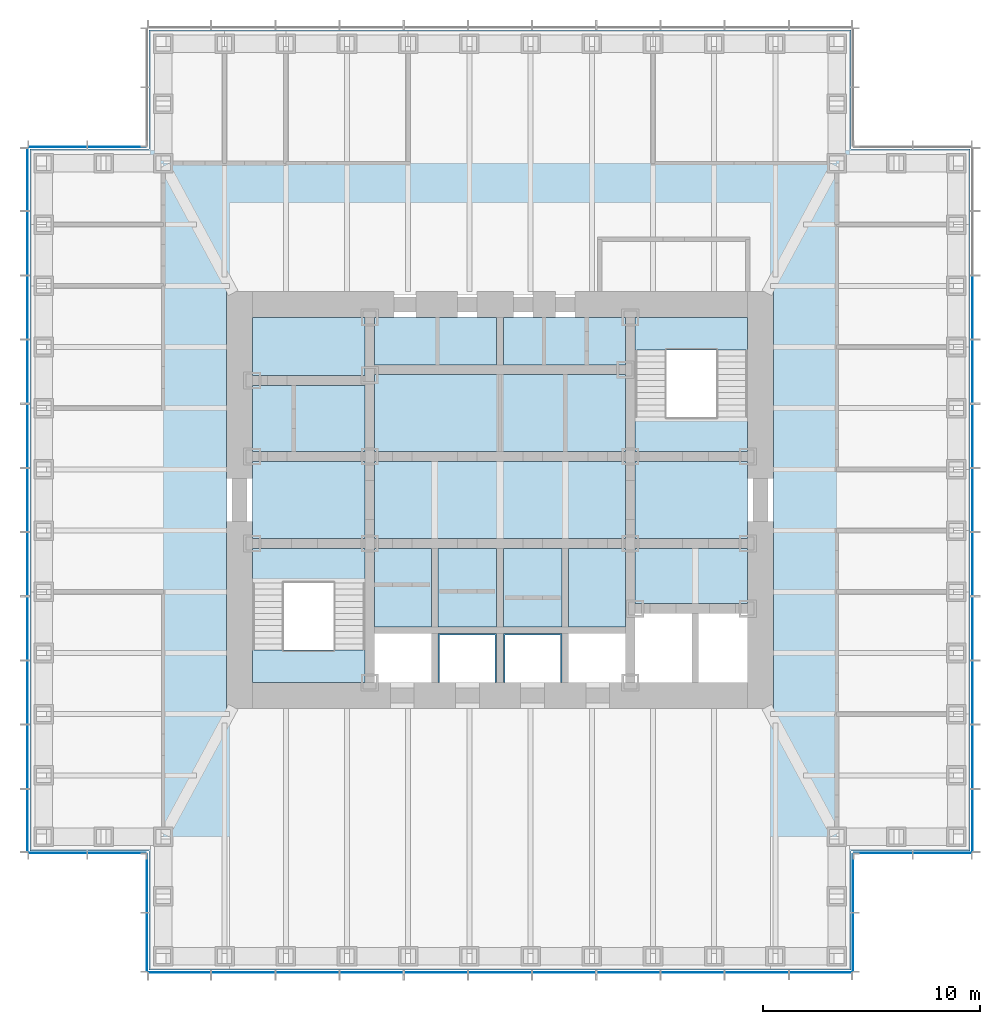
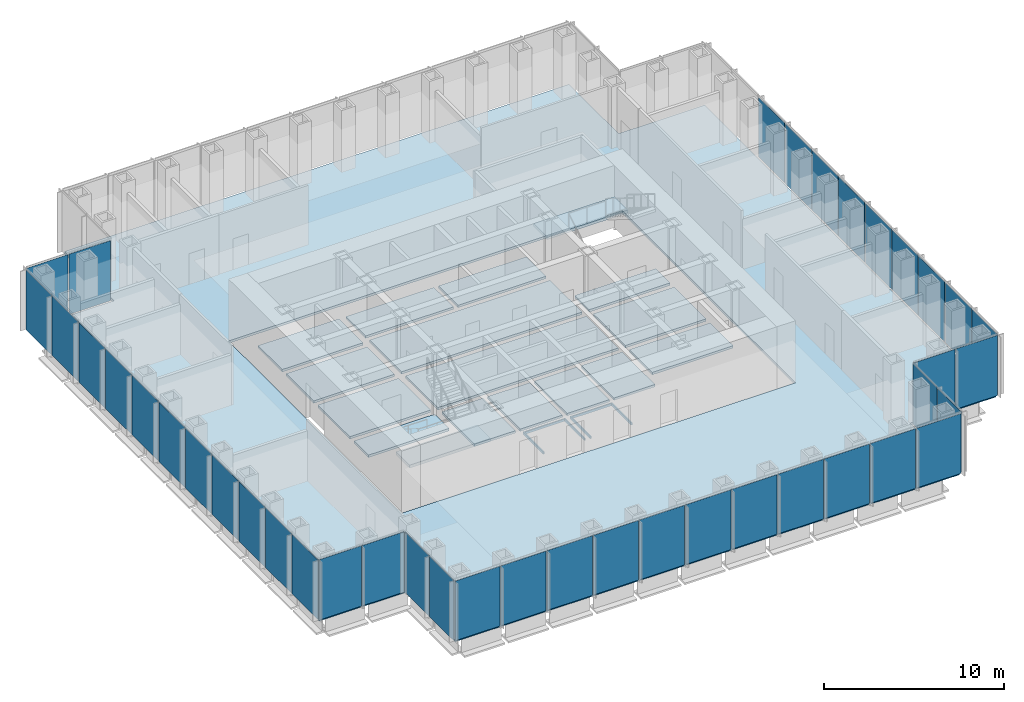
# One storey, part 7 of 16: 41 plates, 20 slabs, 10 elements without a shape of their own.
"""IFC4 building model written with IfcOpenShell, lengths in metres."""

from ifc_helpers import new_model, si_unit, direction, frame, origin, origin_2d, place, context, subcontext, project, spatial, polyline, rectangle, outline, extrude, material, layer, layer_set, type_object, element, aggregate, save


model = new_model("IFC4")

# Units and contexts
model_context = context("Model", 3, precision=1e-05, world=origin(), true_north=direction((0.0, 1.0)))
body_context = subcontext(model_context, "Body", "Model", "MODEL_VIEW")
ifc_project = project(units=[si_unit("LENGTHUNIT", "METRE"), si_unit("AREAUNIT", "SQUARE_METRE"), si_unit("VOLUMEUNIT", "CUBIC_METRE"), si_unit("PLANEANGLEUNIT", "RADIAN"), si_unit("MASSUNIT", "GRAM", prefix="KILO")], contexts=[model_context])

# Site, building, storey
site_placement = place(None, origin())
site = spatial("IfcSite", under=ifc_project, at=site_placement, CompositionType="ELEMENT")
building_placement = place(site_placement, origin())
building = spatial("IfcBuilding", under=site, at=building_placement, Name="Daluyong Arena Tower", CompositionType="ELEMENT")
storey_placement = place(building_placement, frame((0.0, 0.0, 210.699951171875)))
storey = spatial("IfcBuildingStorey", under=building, at=storey_placement, Name="L47", CompositionType="ELEMENT", Elevation=210.699951171875)

# Curtain wall, plates
ifc_material_1 = material(Name="Bronze anodised aluminium and glass", Category="aluminium")
curtain_wall_type_1 = type_object("IfcCurtainWallType", Name="Curtain wall CW3", PredefinedType="USERDEFINED", material=ifc_material_1)
curtain_wall_1_placement = place(storey_placement, origin())
curtain_wall_1 = element("IfcCurtainWall", 1, at=curtain_wall_1_placement, inside=storey, type_object=curtain_wall_type_1, Name="curtain wall L47 S", ObjectType="UNITISED CURTAIN WALL", PredefinedType="USERDEFINED")
ifc_material_2 = material(Name="Tinted double glazed unit", Category="glass")
ifc_layer_1 = layer(ifc_material_2, 0.030029296875)
ifc_layer_set_1 = layer_set([ifc_layer_1], Name="Tinted double glazed unit")
plate_type_1 = type_object("IfcPlateType", Name="CW3 panel 30", PredefinedType="CURTAIN_PANEL", material=ifc_layer_set_1)
plate_1_placement = place(storey_placement, frame((41.244873046875, 58.25, 0.0), z_axis=(0.0, 0.0, 1.0), x_axis=(1.0, 0.0, 0.0)))
plate_1 = element("IfcPlate", 2, at=plate_1_placement, type_object=plate_type_1, Name="curtain wall L47 S panel 1", PredefinedType="CURTAIN_PANEL", context=body_context, shape_type="SweptSolid", body=[
    extrude(rectangle(XDim=2.849609375, YDim=0.030029296875, at=origin_2d()), origin(), (0.0, 0.0, 1.0), 4.0400390625),
])
plate_2_placement = place(storey_placement, frame((44.181884765625, 58.25, 0.0), z_axis=(0.0, 0.0, 1.0), x_axis=(1.0, 0.0, 0.0)))
plate_2 = element("IfcPlate", 3, at=plate_2_placement, type_object=plate_type_1, Name="curtain wall L47 S panel 2", PredefinedType="CURTAIN_PANEL", context=body_context, shape_type="SweptSolid", body=[
    extrude(rectangle(XDim=2.884521484375, YDim=0.030029296875, at=origin_2d()), origin(), (0.0, 0.0, 1.0), 4.0400390625),
])
plate_3_placement = place(storey_placement, frame((47.136474609375, 58.25, 0.0), z_axis=(0.0, 0.0, 1.0), x_axis=(1.0, 0.0, 0.0)))
plate_3 = element("IfcPlate", 4, at=plate_3_placement, type_object=plate_type_1, Name="curtain wall L47 S panel 3", PredefinedType="CURTAIN_PANEL", context=body_context, shape_type="SweptSolid", body=[
    extrude(rectangle(XDim=2.884521484375, YDim=0.030029296875, at=origin_2d()), origin(), (0.0, 0.0, 1.0), 4.0400390625),
])
plate_4_placement = place(storey_placement, frame((50.0908203125, 58.25, 0.0), z_axis=(0.0, 0.0, 1.0), x_axis=(1.0, 0.0, 0.0)))
plate_4 = element("IfcPlate", 5, at=plate_4_placement, type_object=plate_type_1, Name="curtain wall L47 S panel 4", PredefinedType="CURTAIN_PANEL", context=body_context, shape_type="SweptSolid", body=[
    extrude(rectangle(XDim=2.884521484375, YDim=0.030029296875, at=origin_2d()), origin(), (0.0, 0.0, 1.0), 4.0400390625),
])
plate_5_placement = place(storey_placement, frame((53.04541015625, 58.25, 0.0), z_axis=(0.0, 0.0, 1.0), x_axis=(1.0, 0.0, 0.0)))
plate_5 = element("IfcPlate", 6, at=plate_5_placement, type_object=plate_type_1, Name="curtain wall L47 S panel 5", PredefinedType="CURTAIN_PANEL", context=body_context, shape_type="SweptSolid", body=[
    extrude(rectangle(XDim=2.884521484375, YDim=0.030029296875, at=origin_2d()), origin(), (0.0, 0.0, 1.0), 4.0400390625),
])
plate_6_placement = place(storey_placement, frame((56.0, 58.25, 0.0), z_axis=(0.0, 0.0, 1.0), x_axis=(1.0, 0.0, 0.0)))
plate_6 = element("IfcPlate", 7, at=plate_6_placement, type_object=plate_type_1, Name="curtain wall L47 S panel 6", PredefinedType="CURTAIN_PANEL", context=body_context, shape_type="SweptSolid", body=[
    extrude(rectangle(XDim=2.884521484375, YDim=0.030029296875, at=origin_2d()), origin(), (0.0, 0.0, 1.0), 4.0400390625),
])
plate_7_placement = place(storey_placement, frame((58.95458984375, 58.25, 0.0), z_axis=(0.0, 0.0, 1.0), x_axis=(1.0, 0.0, 0.0)))
plate_7 = element("IfcPlate", 8, at=plate_7_placement, type_object=plate_type_1, Name="curtain wall L47 S panel 7", PredefinedType="CURTAIN_PANEL", context=body_context, shape_type="SweptSolid", body=[
    extrude(rectangle(XDim=2.884521484375, YDim=0.030029296875, at=origin_2d()), origin(), (0.0, 0.0, 1.0), 4.0400390625),
])
plate_8_placement = place(storey_placement, frame((61.9091796875, 58.25, 0.0), z_axis=(0.0, 0.0, 1.0), x_axis=(1.0, 0.0, 0.0)))
plate_8 = element("IfcPlate", 9, at=plate_8_placement, type_object=plate_type_1, Name="curtain wall L47 S panel 8", PredefinedType="CURTAIN_PANEL", context=body_context, shape_type="SweptSolid", body=[
    extrude(rectangle(XDim=2.884521484375, YDim=0.030029296875, at=origin_2d()), origin(), (0.0, 0.0, 1.0), 4.0400390625),
])
plate_9_placement = place(storey_placement, frame((64.863525390625, 58.25, 0.0), z_axis=(0.0, 0.0, 1.0), x_axis=(1.0, 0.0, 0.0)))
plate_9 = element("IfcPlate", 10, at=plate_9_placement, type_object=plate_type_1, Name="curtain wall L47 S panel 9", PredefinedType="CURTAIN_PANEL", context=body_context, shape_type="SweptSolid", body=[
    extrude(rectangle(XDim=2.884521484375, YDim=0.030029296875, at=origin_2d()), origin(), (0.0, 0.0, 1.0), 4.0400390625),
])
plate_10_placement = place(storey_placement, frame((67.818115234375, 58.25, 0.0), z_axis=(0.0, 0.0, 1.0), x_axis=(1.0, 0.0, 0.0)))
plate_10 = element("IfcPlate", 11, at=plate_10_placement, type_object=plate_type_1, Name="curtain wall L47 S panel 10", PredefinedType="CURTAIN_PANEL", context=body_context, shape_type="SweptSolid", body=[
    extrude(rectangle(XDim=2.884521484375, YDim=0.030029296875, at=origin_2d()), origin(), (0.0, 0.0, 1.0), 4.0400390625),
])
plate_11_placement = place(storey_placement, frame((70.755126953125, 58.25, 0.0), z_axis=(0.0, 0.0, 1.0), x_axis=(1.0, 0.0, 0.0)))
plate_11 = element("IfcPlate", 12, at=plate_11_placement, type_object=plate_type_1, Name="curtain wall L47 S panel 11", PredefinedType="CURTAIN_PANEL", context=body_context, shape_type="SweptSolid", body=[
    extrude(rectangle(XDim=2.849609375, YDim=0.030029296875, at=origin_2d()), origin(), (0.0, 0.0, 1.0), 4.0400390625),
])
aggregate(curtain_wall_1, [plate_1, plate_2, plate_3, plate_4, plate_5, plate_6, plate_7, plate_8, plate_9, plate_10, plate_11])

curtain_wall_2_placement = place(storey_placement, origin())
curtain_wall_2 = element("IfcCurtainWall", 13, at=curtain_wall_2_placement, inside=storey, type_object=curtain_wall_type_1, Name="curtain wall L47 E", ObjectType="UNITISED CURTAIN WALL", PredefinedType="USERDEFINED")
plate_12_placement = place(storey_placement, frame((77.75, 65.244873046875, 0.0), z_axis=(0.0, 0.0, 1.0), x_axis=(0.0, 1.0, 0.0)))
plate_12 = element("IfcPlate", 14, at=plate_12_placement, type_object=plate_type_1, Name="curtain wall L47 E panel 1", PredefinedType="CURTAIN_PANEL", context=body_context, shape_type="SweptSolid", body=[
    extrude(rectangle(XDim=2.849609375, YDim=0.030029296875, at=origin_2d()), origin(), (0.0, 0.0, 1.0), 4.0400390625),
])
plate_13_placement = place(storey_placement, frame((77.75, 68.181884765625, 0.0), z_axis=(0.0, 0.0, 1.0), x_axis=(0.0, 1.0, 0.0)))
plate_13 = element("IfcPlate", 15, at=plate_13_placement, type_object=plate_type_1, Name="curtain wall L47 E panel 2", PredefinedType="CURTAIN_PANEL", context=body_context, shape_type="SweptSolid", body=[
    extrude(rectangle(XDim=2.884521484375, YDim=0.030029296875, at=origin_2d()), origin(), (0.0, 0.0, 1.0), 4.0400390625),
])
plate_14_placement = place(storey_placement, frame((77.75, 71.136474609375, 0.0), z_axis=(0.0, 0.0, 1.0), x_axis=(0.0, 1.0, 0.0)))
plate_14 = element("IfcPlate", 16, at=plate_14_placement, type_object=plate_type_1, Name="curtain wall L47 E panel 3", PredefinedType="CURTAIN_PANEL", context=body_context, shape_type="SweptSolid", body=[
    extrude(rectangle(XDim=2.884521484375, YDim=0.030029296875, at=origin_2d()), origin(), (0.0, 0.0, 1.0), 4.0400390625),
])
plate_15_placement = place(storey_placement, frame((77.75, 74.0908203125, 0.0), z_axis=(0.0, 0.0, 1.0), x_axis=(0.0, 1.0, 0.0)))
plate_15 = element("IfcPlate", 17, at=plate_15_placement, type_object=plate_type_1, Name="curtain wall L47 E panel 4", PredefinedType="CURTAIN_PANEL", context=body_context, shape_type="SweptSolid", body=[
    extrude(rectangle(XDim=2.884521484375, YDim=0.030029296875, at=origin_2d()), origin(), (0.0, 0.0, 1.0), 4.0400390625),
])
plate_16_placement = place(storey_placement, frame((77.75, 77.04541015625, 0.0), z_axis=(0.0, 0.0, 1.0), x_axis=(0.0, 1.0, 0.0)))
plate_16 = element("IfcPlate", 18, at=plate_16_placement, type_object=plate_type_1, Name="curtain wall L47 E panel 5", PredefinedType="CURTAIN_PANEL", context=body_context, shape_type="SweptSolid", body=[
    extrude(rectangle(XDim=2.884521484375, YDim=0.030029296875, at=origin_2d()), origin(), (0.0, 0.0, 1.0), 4.0400390625),
])
plate_17_placement = place(storey_placement, frame((77.75, 80.0, 0.0), z_axis=(0.0, 0.0, 1.0), x_axis=(0.0, 1.0, 0.0)))
plate_17 = element("IfcPlate", 19, at=plate_17_placement, type_object=plate_type_1, Name="curtain wall L47 E panel 6", PredefinedType="CURTAIN_PANEL", context=body_context, shape_type="SweptSolid", body=[
    extrude(rectangle(XDim=2.884521484375, YDim=0.030029296875, at=origin_2d()), origin(), (0.0, 0.0, 1.0), 4.0400390625),
])
plate_18_placement = place(storey_placement, frame((77.75, 82.95458984375, 0.0), z_axis=(0.0, 0.0, 1.0), x_axis=(0.0, 1.0, 0.0)))
plate_18 = element("IfcPlate", 20, at=plate_18_placement, type_object=plate_type_1, Name="curtain wall L47 E panel 7", PredefinedType="CURTAIN_PANEL", context=body_context, shape_type="SweptSolid", body=[
    extrude(rectangle(XDim=2.884521484375, YDim=0.030029296875, at=origin_2d()), origin(), (0.0, 0.0, 1.0), 4.0400390625),
])
plate_19_placement = place(storey_placement, frame((77.75, 85.9091796875, 0.0), z_axis=(0.0, 0.0, 1.0), x_axis=(0.0, 1.0, 0.0)))
plate_19 = element("IfcPlate", 21, at=plate_19_placement, type_object=plate_type_1, Name="curtain wall L47 E panel 8", PredefinedType="CURTAIN_PANEL", context=body_context, shape_type="SweptSolid", body=[
    extrude(rectangle(XDim=2.884521484375, YDim=0.030029296875, at=origin_2d()), origin(), (0.0, 0.0, 1.0), 4.0400390625),
])
plate_20_placement = place(storey_placement, frame((77.75, 88.863525390625, 0.0), z_axis=(0.0, 0.0, 1.0), x_axis=(0.0, 1.0, 0.0)))
plate_20 = element("IfcPlate", 22, at=plate_20_placement, type_object=plate_type_1, Name="curtain wall L47 E panel 9", PredefinedType="CURTAIN_PANEL", context=body_context, shape_type="SweptSolid", body=[
    extrude(rectangle(XDim=2.884521484375, YDim=0.030029296875, at=origin_2d()), origin(), (0.0, 0.0, 1.0), 4.0400390625),
])
aggregate(curtain_wall_2, [plate_12, plate_13, plate_14, plate_15, plate_16, plate_17, plate_18, plate_19, plate_20])

curtain_wall_3_placement = place(storey_placement, origin())
curtain_wall_3 = element("IfcCurtainWall", 23, at=curtain_wall_3_placement, inside=storey, type_object=curtain_wall_type_1, Name="curtain wall L47 W", ObjectType="UNITISED CURTAIN WALL", PredefinedType="USERDEFINED")
plate_21_placement = place(storey_placement, frame((34.25, 94.755126953125, 0.0), z_axis=(0.0, 0.0, 1.0), x_axis=(0.0, -1.0, 0.0)))
plate_21 = element("IfcPlate", 24, at=plate_21_placement, type_object=plate_type_1, Name="curtain wall L47 W panel 1", PredefinedType="CURTAIN_PANEL", context=body_context, shape_type="SweptSolid", body=[
    extrude(rectangle(XDim=2.849609375, YDim=0.030029296875, at=origin_2d()), origin(), (0.0, 0.0, 1.0), 4.0400390625),
])
plate_22_placement = place(storey_placement, frame((34.25, 91.818115234375, 0.0), z_axis=(0.0, 0.0, 1.0), x_axis=(0.0, -1.0, 0.0)))
plate_22 = element("IfcPlate", 25, at=plate_22_placement, type_object=plate_type_1, Name="curtain wall L47 W panel 2", PredefinedType="CURTAIN_PANEL", context=body_context, shape_type="SweptSolid", body=[
    extrude(rectangle(XDim=2.884521484375, YDim=0.030029296875, at=origin_2d()), origin(), (0.0, 0.0, 1.0), 4.0400390625),
])
plate_23_placement = place(storey_placement, frame((34.25, 88.863525390625, 0.0), z_axis=(0.0, 0.0, 1.0), x_axis=(0.0, -1.0, 0.0)))
plate_23 = element("IfcPlate", 26, at=plate_23_placement, type_object=plate_type_1, Name="curtain wall L47 W panel 3", PredefinedType="CURTAIN_PANEL", context=body_context, shape_type="SweptSolid", body=[
    extrude(rectangle(XDim=2.884521484375, YDim=0.030029296875, at=origin_2d()), origin(), (0.0, 0.0, 1.0), 4.0400390625),
])
plate_24_placement = place(storey_placement, frame((34.25, 85.9091796875, 0.0), z_axis=(0.0, 0.0, 1.0), x_axis=(0.0, -1.0, 0.0)))
plate_24 = element("IfcPlate", 27, at=plate_24_placement, type_object=plate_type_1, Name="curtain wall L47 W panel 4", PredefinedType="CURTAIN_PANEL", context=body_context, shape_type="SweptSolid", body=[
    extrude(rectangle(XDim=2.884521484375, YDim=0.030029296875, at=origin_2d()), origin(), (0.0, 0.0, 1.0), 4.0400390625),
])
plate_25_placement = place(storey_placement, frame((34.25, 82.95458984375, 0.0), z_axis=(0.0, 0.0, 1.0), x_axis=(0.0, -1.0, 0.0)))
plate_25 = element("IfcPlate", 28, at=plate_25_placement, type_object=plate_type_1, Name="curtain wall L47 W panel 5", PredefinedType="CURTAIN_PANEL", context=body_context, shape_type="SweptSolid", body=[
    extrude(rectangle(XDim=2.884521484375, YDim=0.030029296875, at=origin_2d()), origin(), (0.0, 0.0, 1.0), 4.0400390625),
])
plate_26_placement = place(storey_placement, frame((34.25, 80.0, 0.0), z_axis=(0.0, 0.0, 1.0), x_axis=(0.0, -1.0, 0.0)))
plate_26 = element("IfcPlate", 29, at=plate_26_placement, type_object=plate_type_1, Name="curtain wall L47 W panel 6", PredefinedType="CURTAIN_PANEL", context=body_context, shape_type="SweptSolid", body=[
    extrude(rectangle(XDim=2.884521484375, YDim=0.030029296875, at=origin_2d()), origin(), (0.0, 0.0, 1.0), 4.0400390625),
])
plate_27_placement = place(storey_placement, frame((34.25, 77.04541015625, 0.0), z_axis=(0.0, 0.0, 1.0), x_axis=(0.0, -1.0, 0.0)))
plate_27 = element("IfcPlate", 30, at=plate_27_placement, type_object=plate_type_1, Name="curtain wall L47 W panel 7", PredefinedType="CURTAIN_PANEL", context=body_context, shape_type="SweptSolid", body=[
    extrude(rectangle(XDim=2.884521484375, YDim=0.030029296875, at=origin_2d()), origin(), (0.0, 0.0, 1.0), 4.0400390625),
])
plate_28_placement = place(storey_placement, frame((34.25, 74.0908203125, 0.0), z_axis=(0.0, 0.0, 1.0), x_axis=(0.0, -1.0, 0.0)))
plate_28 = element("IfcPlate", 31, at=plate_28_placement, type_object=plate_type_1, Name="curtain wall L47 W panel 8", PredefinedType="CURTAIN_PANEL", context=body_context, shape_type="SweptSolid", body=[
    extrude(rectangle(XDim=2.884521484375, YDim=0.030029296875, at=origin_2d()), origin(), (0.0, 0.0, 1.0), 4.0400390625),
])
plate_29_placement = place(storey_placement, frame((34.25, 71.136474609375, 0.0), z_axis=(0.0, 0.0, 1.0), x_axis=(0.0, -1.0, 0.0)))
plate_29 = element("IfcPlate", 32, at=plate_29_placement, type_object=plate_type_1, Name="curtain wall L47 W panel 9", PredefinedType="CURTAIN_PANEL", context=body_context, shape_type="SweptSolid", body=[
    extrude(rectangle(XDim=2.884521484375, YDim=0.030029296875, at=origin_2d()), origin(), (0.0, 0.0, 1.0), 4.0400390625),
])
plate_30_placement = place(storey_placement, frame((34.25, 68.181884765625, 0.0), z_axis=(0.0, 0.0, 1.0), x_axis=(0.0, -1.0, 0.0)))
plate_30 = element("IfcPlate", 33, at=plate_30_placement, type_object=plate_type_1, Name="curtain wall L47 W panel 10", PredefinedType="CURTAIN_PANEL", context=body_context, shape_type="SweptSolid", body=[
    extrude(rectangle(XDim=2.884521484375, YDim=0.030029296875, at=origin_2d()), origin(), (0.0, 0.0, 1.0), 4.0400390625),
])
plate_31_placement = place(storey_placement, frame((34.25, 65.244873046875, 0.0), z_axis=(0.0, 0.0, 1.0), x_axis=(0.0, -1.0, 0.0)))
plate_31 = element("IfcPlate", 34, at=plate_31_placement, type_object=plate_type_1, Name="curtain wall L47 W panel 11", PredefinedType="CURTAIN_PANEL", context=body_context, shape_type="SweptSolid", body=[
    extrude(rectangle(XDim=2.849609375, YDim=0.030029296875, at=origin_2d()), origin(), (0.0, 0.0, 1.0), 4.0400390625),
])
aggregate(curtain_wall_3, [plate_21, plate_22, plate_23, plate_24, plate_25, plate_26, plate_27, plate_28, plate_29, plate_30, plate_31])

ifc_material_3 = material(Name="Bronze anodised aluminium and glass", Category="aluminium")
curtain_wall_type_2 = type_object("IfcCurtainWallType", Name="Curtain wall CW7", PredefinedType="USERDEFINED", material=ifc_material_3)
curtain_wall_4_placement = place(storey_placement, origin())
curtain_wall_4 = element("IfcCurtainWall", 35, at=curtain_wall_4_placement, inside=storey, type_object=curtain_wall_type_2, Name="curtain wall L47 SE-E", ObjectType="UNITISED CURTAIN WALL", PredefinedType="USERDEFINED")
ifc_material_4 = material(Name="Tinted double glazed unit", Category="glass")
ifc_layer_2 = layer(ifc_material_4, 0.028076171875)
ifc_layer_set_2 = layer_set([ifc_layer_2], Name="Tinted double glazed unit")
plate_type_2 = type_object("IfcPlateType", Name="CW7 panel 28", PredefinedType="CURTAIN_PANEL", material=ifc_layer_set_2)
plate_32_placement = place(storey_placement, frame((72.25, 59.639892578125, 0.0), z_axis=(0.0, 0.0, 1.0), x_axis=(0.0, 1.0, 0.0)))
plate_32 = element("IfcPlate", 36, at=plate_32_placement, type_object=plate_type_2, Name="curtain wall L47 SE-E panel 1", PredefinedType="CURTAIN_PANEL", context=body_context, shape_type="SweptSolid", body=[
    extrude(rectangle(XDim=2.659912109375, YDim=0.028076171875, at=origin_2d()), origin(), (0.0, 0.0, 1.0), 4.080078125),
])
plate_33_placement = place(storey_placement, frame((72.25, 62.360107421875, 0.0), z_axis=(0.0, 0.0, 1.0), x_axis=(0.0, 1.0, 0.0)))
plate_33 = element("IfcPlate", 37, at=plate_33_placement, type_object=plate_type_2, Name="curtain wall L47 SE-E panel 2", PredefinedType="CURTAIN_PANEL", context=body_context, shape_type="SweptSolid", body=[
    extrude(rectangle(XDim=2.659912109375, YDim=0.028076171875, at=origin_2d()), origin(), (0.0, 0.0, 1.0), 4.080078125),
])
aggregate(curtain_wall_4, [plate_32, plate_33])

curtain_wall_5_placement = place(storey_placement, origin())
curtain_wall_5 = element("IfcCurtainWall", 38, at=curtain_wall_5_placement, inside=storey, type_object=curtain_wall_type_2, Name="curtain wall L47 SE-S", ObjectType="UNITISED CURTAIN WALL", PredefinedType="USERDEFINED")
plate_34_placement = place(storey_placement, frame((73.639892578125, 63.75, 0.0), z_axis=(0.0, 0.0, 1.0), x_axis=(1.0, 0.0, 0.0)))
plate_34 = element("IfcPlate", 39, at=plate_34_placement, type_object=plate_type_2, Name="curtain wall L47 SE-S panel 1", PredefinedType="CURTAIN_PANEL", context=body_context, shape_type="SweptSolid", body=[
    extrude(rectangle(XDim=2.659912109375, YDim=0.028076171875, at=origin_2d()), origin(), (0.0, 0.0, 1.0), 4.080078125),
])
plate_35_placement = place(storey_placement, frame((76.360107421875, 63.75, 0.0), z_axis=(0.0, 0.0, 1.0), x_axis=(1.0, 0.0, 0.0)))
plate_35 = element("IfcPlate", 40, at=plate_35_placement, type_object=plate_type_2, Name="curtain wall L47 SE-S panel 2", PredefinedType="CURTAIN_PANEL", context=body_context, shape_type="SweptSolid", body=[
    extrude(rectangle(XDim=2.659912109375, YDim=0.028076171875, at=origin_2d()), origin(), (0.0, 0.0, 1.0), 4.080078125),
])
aggregate(curtain_wall_5, [plate_34, plate_35])

curtain_wall_6_placement = place(storey_placement, origin())
curtain_wall_6 = element("IfcCurtainWall", 41, at=curtain_wall_6_placement, inside=storey, type_object=curtain_wall_type_2, Name="curtain wall L47 NW-N", ObjectType="UNITISED CURTAIN WALL", PredefinedType="USERDEFINED")
plate_36_placement = place(storey_placement, frame((38.360107421875, 96.25, 0.0), z_axis=(0.0, 0.0, 1.0), x_axis=(-1.0, 0.0, 0.0)))
plate_36 = element("IfcPlate", 42, at=plate_36_placement, type_object=plate_type_2, Name="curtain wall L47 NW-N panel 1", PredefinedType="CURTAIN_PANEL", context=body_context, shape_type="SweptSolid", body=[
    extrude(rectangle(XDim=2.659912109375, YDim=0.028076171875, at=origin_2d()), origin(), (0.0, 0.0, 1.0), 4.080078125),
])
plate_37_placement = place(storey_placement, frame((35.639892578125, 96.25, 0.0), z_axis=(0.0, 0.0, 1.0), x_axis=(-1.0, 0.0, 0.0)))
plate_37 = element("IfcPlate", 43, at=plate_37_placement, type_object=plate_type_2, Name="curtain wall L47 NW-N panel 2", PredefinedType="CURTAIN_PANEL", context=body_context, shape_type="SweptSolid", body=[
    extrude(rectangle(XDim=2.659912109375, YDim=0.028076171875, at=origin_2d()), origin(), (0.0, 0.0, 1.0), 4.080078125),
])
aggregate(curtain_wall_6, [plate_36, plate_37])

curtain_wall_7_placement = place(storey_placement, origin())
curtain_wall_7 = element("IfcCurtainWall", 44, at=curtain_wall_7_placement, inside=storey, type_object=curtain_wall_type_2, Name="curtain wall L47 SW-S", ObjectType="UNITISED CURTAIN WALL", PredefinedType="USERDEFINED")
plate_38_placement = place(storey_placement, frame((35.639892578125, 63.75, 0.0), z_axis=(0.0, 0.0, 1.0), x_axis=(1.0, 0.0, 0.0)))
plate_38 = element("IfcPlate", 45, at=plate_38_placement, type_object=plate_type_2, Name="curtain wall L47 SW-S panel 1", PredefinedType="CURTAIN_PANEL", context=body_context, shape_type="SweptSolid", body=[
    extrude(rectangle(XDim=2.659912109375, YDim=0.028076171875, at=origin_2d()), origin(), (0.0, 0.0, 1.0), 4.080078125),
])
plate_39_placement = place(storey_placement, frame((38.360107421875, 63.75, 0.0), z_axis=(0.0, 0.0, 1.0), x_axis=(1.0, 0.0, 0.0)))
plate_39 = element("IfcPlate", 46, at=plate_39_placement, type_object=plate_type_2, Name="curtain wall L47 SW-S panel 2", PredefinedType="CURTAIN_PANEL", context=body_context, shape_type="SweptSolid", body=[
    extrude(rectangle(XDim=2.659912109375, YDim=0.028076171875, at=origin_2d()), origin(), (0.0, 0.0, 1.0), 4.080078125),
])
aggregate(curtain_wall_7, [plate_38, plate_39])

curtain_wall_8_placement = place(storey_placement, origin())
curtain_wall_8 = element("IfcCurtainWall", 47, at=curtain_wall_8_placement, inside=storey, type_object=curtain_wall_type_2, Name="curtain wall L47 SW-W", ObjectType="UNITISED CURTAIN WALL", PredefinedType="USERDEFINED")
plate_40_placement = place(storey_placement, frame((39.75, 62.360107421875, 0.0), z_axis=(0.0, 0.0, 1.0), x_axis=(0.0, -1.0, 0.0)))
plate_40 = element("IfcPlate", 48, at=plate_40_placement, type_object=plate_type_2, Name="curtain wall L47 SW-W panel 1", PredefinedType="CURTAIN_PANEL", context=body_context, shape_type="SweptSolid", body=[
    extrude(rectangle(XDim=2.659912109375, YDim=0.028076171875, at=origin_2d()), origin(), (0.0, 0.0, 1.0), 4.080078125),
])
plate_41_placement = place(storey_placement, frame((39.75, 59.639892578125, 0.0), z_axis=(0.0, 0.0, 1.0), x_axis=(0.0, -1.0, 0.0)))
plate_41 = element("IfcPlate", 49, at=plate_41_placement, type_object=plate_type_2, Name="curtain wall L47 SW-W panel 2", PredefinedType="CURTAIN_PANEL", context=body_context, shape_type="SweptSolid", body=[
    extrude(rectangle(XDim=2.659912109375, YDim=0.028076171875, at=origin_2d()), origin(), (0.0, 0.0, 1.0), 4.080078125),
])
aggregate(curtain_wall_8, [plate_40, plate_41])

# Stair, slab
ifc_material_5 = material(Name="Concrete fc' 35 MPa", Category="concrete")
stair_type = type_object("IfcStairType", Name="Core exit stair", PredefinedType="HALF_TURN_STAIR", material=ifc_material_5)
stair_1_placement = place(storey_placement, origin())
stair_1 = element("IfcStair", 50, at=stair_1_placement, inside=storey, type_object=stair_type, Name="exit stair A L47", PredefinedType="HALF_TURN_STAIR")
ifc_material_6 = material(Name="Concrete fc' 35 MPa", Category="concrete")
ifc_layer_3 = layer(ifc_material_6, 0.199951171875)
ifc_layer_set_3 = layer_set([ifc_layer_3], Name="Concrete fc' 35 MPa")
slab_type_1 = type_object("IfcSlabType", Name="Stair landing 200", PredefinedType="LANDING", material=ifc_layer_set_3)
slab_1_placement = place(storey_placement, frame((0.0, 0.0, 1.900146484375)))
slab_1 = element("IfcSlab", 51, at=slab_1_placement, type_object=slab_type_1, Name="STA landing 1", PredefinedType="LANDING", context=body_context, shape_type="SweptSolid", body=[
    extrude(outline(polyline([(44.60009765625, 71.60009765625), (49.77490234375, 71.60009765625), (49.77490234375, 73.094970703125), (44.60009765625, 73.094970703125), (44.60009765625, 71.60009765625)])), origin(), (0.0, 0.0, 1.0), 0.199951171875),
])
aggregate(stair_1, [slab_1])

stair_2_placement = place(storey_placement, origin())
stair_2 = element("IfcStair", 52, at=stair_2_placement, inside=storey, type_object=stair_type, Name="exit stair B L47", PredefinedType="HALF_TURN_STAIR")
slab_2_placement = place(storey_placement, frame((0.0, 0.0, 1.900146484375)))
slab_2 = element("IfcSlab", 53, at=slab_2_placement, type_object=slab_type_1, Name="STB landing 1", PredefinedType="LANDING", context=body_context, shape_type="SweptSolid", body=[
    extrude(outline(polyline([(62.22509765625, 86.905029296875), (67.39990234375, 86.905029296875), (67.39990234375, 88.39990234375), (62.22509765625, 88.39990234375), (62.22509765625, 86.905029296875)])), origin(), (0.0, 0.0, 1.0), 0.199951171875),
])
aggregate(stair_2, [slab_2])

# Slabs
ifc_material_7 = material(Name="Concrete fc' 35 MPa", Category="concrete")
ifc_layer_4 = layer(ifc_material_7, 0.159912109375)
ifc_layer_set_4 = layer_set([ifc_layer_4], Name="Concrete fc' 35 MPa")
slab_type_2 = type_object("IfcSlabType", Name="Tower floor slab 160", PredefinedType="FLOOR", material=ifc_layer_set_4)
slab_3_placement = place(storey_placement, frame((0.0, 0.0, -0.159912109375)))
element("IfcSlab", 54, at=slab_3_placement, inside=storey, type_object=slab_type_2, Name="floor L47 part 1", PredefinedType="FLOOR", context=body_context, shape_type="SweptSolid", body=[
    extrude(outline(polyline([(49.77490234375, 77.77490234375), (44.60009765625, 77.77490234375), (44.60009765625, 76.175048828125), (49.77490234375, 76.175048828125), (49.77490234375, 77.77490234375)])), origin(), (0.0, 0.0, 1.0), 0.159912109375),
])
slab_4_placement = place(storey_placement, frame((0.0, 0.0, -0.159912109375)))
element("IfcSlab", 55, at=slab_4_placement, inside=storey, type_object=slab_type_2, Name="floor L47 part 2", PredefinedType="FLOOR", context=body_context, shape_type="SweptSolid", body=[
    extrude(outline(polyline([(49.77490234375, 78.22509765625), (49.77490234375, 81.77490234375), (44.60009765625, 81.77490234375), (44.60009765625, 78.22509765625), (49.77490234375, 78.22509765625)])), origin(), (0.0, 0.0, 1.0), 0.159912109375),
])
slab_5_placement = place(storey_placement, frame((0.0, 0.0, -0.159912109375)))
element("IfcSlab", 56, at=slab_5_placement, inside=storey, type_object=slab_type_2, Name="floor L47 part 3", PredefinedType="FLOOR", context=body_context, shape_type="SweptSolid", body=[
    extrude(outline(polyline([(44.60009765625, 85.27490234375), (44.60009765625, 82.22509765625), (49.77490234375, 82.22509765625), (49.77490234375, 85.27490234375), (44.60009765625, 85.27490234375)])), origin(), (0.0, 0.0, 1.0), 0.159912109375),
])
slab_6_placement = place(storey_placement, frame((0.0, 0.0, -0.159912109375)))
element("IfcSlab", 57, at=slab_6_placement, inside=storey, type_object=slab_type_2, Name="floor L47 part 4", PredefinedType="FLOOR", context=body_context, shape_type="SweptSolid", body=[
    extrude(outline(polyline([(44.60009765625, 88.39990234375), (44.60009765625, 85.72509765625), (49.77490234375, 85.72509765625), (49.77490234375, 88.39990234375), (44.60009765625, 88.39990234375)])), origin(), (0.0, 0.0, 1.0), 0.159912109375),
])
slab_7_placement = place(storey_placement, frame((0.0, 0.0, -0.159912109375)))
element("IfcSlab", 58, at=slab_7_placement, inside=storey, type_object=slab_type_2, Name="floor L47 part 5", PredefinedType="FLOOR", context=body_context, shape_type="SweptSolid", body=[
    extrude(outline(polyline([(52.85009765625, 74.14990234375), (52.85009765625, 77.77490234375), (50.22509765625, 77.77490234375), (50.22509765625, 74.14990234375), (52.85009765625, 74.14990234375)])), origin(), (0.0, 0.0, 1.0), 0.159912109375),
])
slab_8_placement = place(storey_placement, frame((0.0, 0.0, -0.159912109375)))
element("IfcSlab", 59, at=slab_8_placement, inside=storey, type_object=slab_type_2, Name="floor L47 part 6", PredefinedType="FLOOR", context=body_context, shape_type="SweptSolid", body=[
    extrude(outline(polyline([(50.22509765625, 88.39990234375), (50.22509765625, 86.22509765625), (55.85009765625, 86.22509765625), (55.85009765625, 88.39990234375), (50.22509765625, 88.39990234375)])), origin(), (0.0, 0.0, 1.0), 0.159912109375),
])
slab_9_placement = place(storey_placement, frame((0.0, 0.0, -0.159912109375)))
element("IfcSlab", 60, at=slab_9_placement, inside=storey, type_object=slab_type_2, Name="floor L47 part 7", PredefinedType="FLOOR", context=body_context, shape_type="SweptSolid", body=[
    extrude(outline(polyline([(53.22509765625, 71.60009765625), (53.22509765625, 73.77490234375), (55.77490234375, 73.77490234375), (55.77490234375, 71.60009765625), (55.85009765625, 71.60009765625), (55.85009765625, 73.85009765625), (53.14990234375, 73.85009765625), (53.14990234375, 71.60009765625), (53.22509765625, 71.60009765625)])), origin(), (0.0, 0.0, 1.0), 0.159912109375),
])
slab_10_placement = place(storey_placement, frame((0.0, 0.0, -0.159912109375)))
element("IfcSlab", 61, at=slab_10_placement, inside=storey, type_object=slab_type_2, Name="floor L47 part 8", PredefinedType="FLOOR", context=body_context, shape_type="SweptSolid", body=[
    extrude(outline(polyline([(53.14990234375, 74.14990234375), (55.85009765625, 74.14990234375), (55.85009765625, 77.77490234375), (53.14990234375, 77.77490234375), (53.14990234375, 74.14990234375)])), origin(), (0.0, 0.0, 1.0), 0.159912109375),
])
slab_11_placement = place(storey_placement, frame((0.0, 0.0, -0.159912109375)))
element("IfcSlab", 62, at=slab_11_placement, inside=storey, type_object=slab_type_2, Name="floor L47 part 9", PredefinedType="FLOOR", context=body_context, shape_type="SweptSolid", body=[
    extrude(outline(polyline([(39.85009765625, 63.85009765625), (39.85009765625, 58.35009765625), (72.14990234375, 58.35009765625), (72.14990234375, 63.85009765625), (77.64990234375, 63.85009765625), (77.64990234375, 96.14990234375), (72.14990234375, 96.14990234375), (72.14990234375, 101.64990234375), (39.85009765625, 101.64990234375), (39.85009765625, 96.14990234375), (34.35009765625, 96.14990234375), (34.35009765625, 63.85009765625), (39.85009765625, 63.85009765625)]), holes=[polyline([(68.60009765625, 89.60009765625), (68.60009765625, 70.39990234375), (43.39990234375, 70.39990234375), (43.39990234375, 89.60009765625), (68.60009765625, 89.60009765625)])]), origin(), (0.0, 0.0, 1.0), 0.159912109375),
])
slab_12_placement = place(storey_placement, frame((0.0, 0.0, -0.159912109375)))
element("IfcSlab", 63, at=slab_12_placement, inside=storey, type_object=slab_type_2, Name="floor L47 part 10", PredefinedType="FLOOR", context=body_context, shape_type="SweptSolid", body=[
    extrude(outline(polyline([(50.22509765625, 81.77490234375), (50.22509765625, 78.22509765625), (61.77490234375, 78.22509765625), (61.77490234375, 81.77490234375), (50.22509765625, 81.77490234375)])), origin(), (0.0, 0.0, 1.0), 0.159912109375),
])
slab_13_placement = place(storey_placement, frame((0.0, 0.0, -0.159912109375)))
element("IfcSlab", 64, at=slab_13_placement, inside=storey, type_object=slab_type_2, Name="floor L47 part 11", PredefinedType="FLOOR", context=body_context, shape_type="SweptSolid", body=[
    extrude(outline(polyline([(50.22509765625, 85.77490234375), (50.22509765625, 82.22509765625), (61.77490234375, 82.22509765625), (61.77490234375, 85.77490234375), (50.22509765625, 85.77490234375)])), origin(), (0.0, 0.0, 1.0), 0.159912109375),
])
slab_14_placement = place(storey_placement, frame((0.0, 0.0, -0.159912109375)))
element("IfcSlab", 65, at=slab_14_placement, inside=storey, type_object=slab_type_2, Name="floor L47 part 12", PredefinedType="FLOOR", context=body_context, shape_type="SweptSolid", body=[
    extrude(outline(polyline([(56.22509765625, 71.60009765625), (56.22509765625, 73.77490234375), (58.77490234375, 73.77490234375), (58.77490234375, 71.60009765625), (58.85009765625, 71.60009765625), (58.85009765625, 73.85009765625), (56.14990234375, 73.85009765625), (56.14990234375, 71.60009765625), (56.22509765625, 71.60009765625)])), origin(), (0.0, 0.0, 1.0), 0.159912109375),
])
slab_15_placement = place(storey_placement, frame((0.0, 0.0, -0.159912109375)))
element("IfcSlab", 66, at=slab_15_placement, inside=storey, type_object=slab_type_2, Name="floor L47 part 13", PredefinedType="FLOOR", context=body_context, shape_type="SweptSolid", body=[
    extrude(outline(polyline([(58.85009765625, 77.77490234375), (56.14990234375, 77.77490234375), (56.14990234375, 74.14990234375), (58.85009765625, 74.14990234375), (58.85009765625, 77.77490234375)])), origin(), (0.0, 0.0, 1.0), 0.159912109375),
])
slab_16_placement = place(storey_placement, frame((0.0, 0.0, -0.159912109375)))
element("IfcSlab", 67, at=slab_16_placement, inside=storey, type_object=slab_type_2, Name="floor L47 part 14", PredefinedType="FLOOR", context=body_context, shape_type="SweptSolid", body=[
    extrude(outline(polyline([(56.14990234375, 88.39990234375), (56.14990234375, 86.22509765625), (61.77490234375, 86.22509765625), (61.77490234375, 88.39990234375), (56.14990234375, 88.39990234375)])), origin(), (0.0, 0.0, 1.0), 0.159912109375),
])
slab_17_placement = place(storey_placement, frame((0.0, 0.0, -0.159912109375)))
element("IfcSlab", 68, at=slab_17_placement, inside=storey, type_object=slab_type_2, Name="floor L47 part 15", PredefinedType="FLOOR", context=body_context, shape_type="SweptSolid", body=[
    extrude(outline(polyline([(61.77490234375, 77.77490234375), (59.14990234375, 77.77490234375), (59.14990234375, 74.14990234375), (61.77490234375, 74.14990234375), (61.77490234375, 77.77490234375)])), origin(), (0.0, 0.0, 1.0), 0.159912109375),
])
slab_18_placement = place(storey_placement, frame((0.0, 0.0, -0.159912109375)))
element("IfcSlab", 69, at=slab_18_placement, inside=storey, type_object=slab_type_2, Name="floor L47 part 16", PredefinedType="FLOOR", context=body_context, shape_type="SweptSolid", body=[
    extrude(outline(polyline([(67.39990234375, 75.22509765625), (67.39990234375, 77.77490234375), (62.22509765625, 77.77490234375), (62.22509765625, 75.22509765625), (67.39990234375, 75.22509765625)])), origin(), (0.0, 0.0, 1.0), 0.159912109375),
])
slab_19_placement = place(storey_placement, frame((0.0, 0.0, -0.159912109375)))
element("IfcSlab", 70, at=slab_19_placement, inside=storey, type_object=slab_type_2, Name="floor L47 part 17", PredefinedType="FLOOR", context=body_context, shape_type="SweptSolid", body=[
    extrude(outline(polyline([(67.39990234375, 78.22509765625), (67.39990234375, 81.77490234375), (62.22509765625, 81.77490234375), (62.22509765625, 78.22509765625), (67.39990234375, 78.22509765625)])), origin(), (0.0, 0.0, 1.0), 0.159912109375),
])
slab_20_placement = place(storey_placement, frame((0.0, 0.0, -0.159912109375)))
element("IfcSlab", 71, at=slab_20_placement, inside=storey, type_object=slab_type_2, Name="floor L47 part 18", PredefinedType="FLOOR", context=body_context, shape_type="SweptSolid", body=[
    extrude(outline(polyline([(67.39990234375, 83.824951171875), (62.22509765625, 83.824951171875), (62.22509765625, 82.22509765625), (67.39990234375, 82.22509765625), (67.39990234375, 83.824951171875)])), origin(), (0.0, 0.0, 1.0), 0.159912109375),
])

save(model, "model.ifc")
